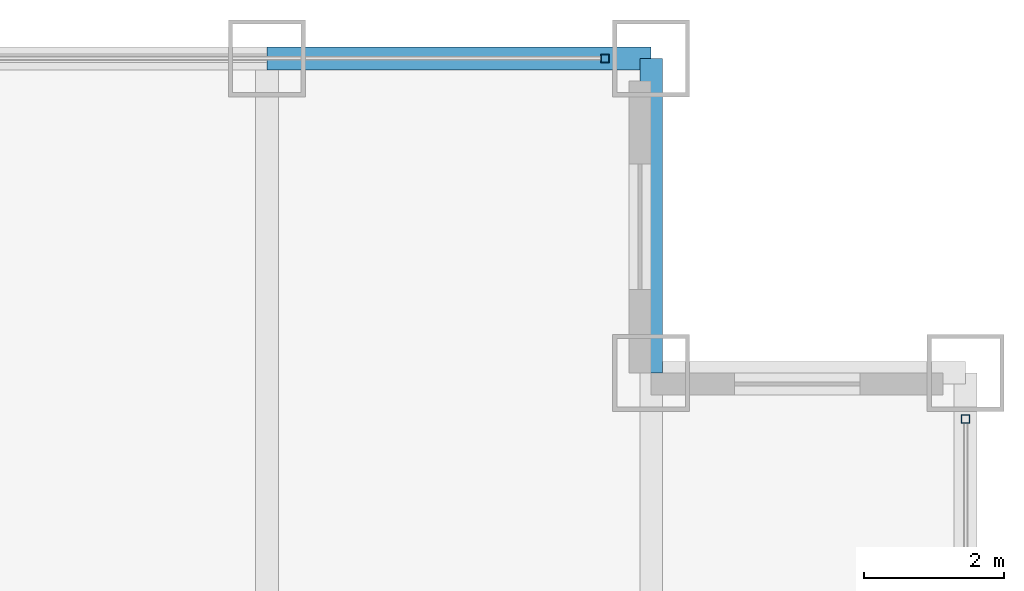
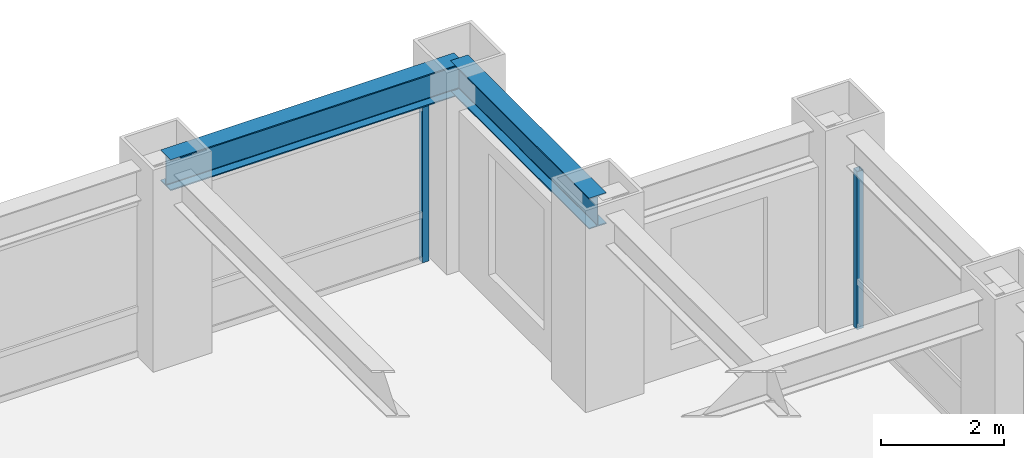
# One storey, part 18 of 24: 2 beams, 2 members, 2 elements without a shape of their own.
"""IFC4 building model written with IfcOpenShell, lengths in metres."""

from ifc_helpers import new_model, si_unit, direction, frame, origin, origin_2d, place, context, subcontext, project, spatial, hollow_rectangle, i_section, extrude, source, transform, mapped, material, material_profile, profile_set, type_object, element, aggregate, save


model = new_model("IFC4")

# Units and contexts
model_context = context("Model", 3, precision=1e-05, world=origin(), true_north=direction((0.0, 1.0)))
body_context = subcontext(model_context, "Body", "Model", "MODEL_VIEW")
ifc_project = project(units=[si_unit("LENGTHUNIT", "METRE"), si_unit("AREAUNIT", "SQUARE_METRE"), si_unit("VOLUMEUNIT", "CUBIC_METRE"), si_unit("PLANEANGLEUNIT", "RADIAN"), si_unit("MASSUNIT", "GRAM", prefix="KILO")], contexts=[model_context])

# Site, building, storey
site_placement = place(None, origin())
site = spatial("IfcSite", under=ifc_project, at=site_placement, CompositionType="ELEMENT")
building_placement = place(site_placement, origin())
building = spatial("IfcBuilding", under=site, at=building_placement, Name="Khorayat Bourse Tower", CompositionType="ELEMENT")
storey_placement = place(building_placement, frame((0.0, 0.0, 171.10009765625)))
storey = spatial("IfcBuildingStorey", under=building, at=storey_placement, Name="L39", CompositionType="ELEMENT", Elevation=171.10009765625)

# Beams
ifc_material_1 = material(Name="Steel ASTM A992 Grade 50", Category="steel")
ifc_material_profile_1 = material_profile(ifc_material_1, i_section(OverallWidth=0.324951171875, OverallDepth=0.615966796875, WebThickness=0.013916015625, FlangeThickness=0.021484375, FilletRadius=0.01611328125, at=origin_2d()), Name="W610X174")
ifc_profile_set_1 = profile_set([ifc_material_profile_1], Name="Steel ASTM A992 Grade 50")
beam_type = type_object("IfcBeamType", Name="BM-SPAN-610", PredefinedType="SPANDREL", material=ifc_profile_set_1)
shared_shape_1 = source(origin(), body_context, "Body", "SweptSolid", [
    extrude(i_section(OverallWidth=0.324951171875, OverallDepth=0.615966796875, WebThickness=0.013916015625, FlangeThickness=0.021484375, FilletRadius=0.01611328125, at=origin_2d()), origin(), (0.0, 0.0, 1.0), 5.5),
])
beam_1_placement = place(storey_placement, frame((20.0, 30.0, 3.471923828125), z_axis=(1.0, 0.0, 0.0), x_axis=(0.0, 1.0, 0.0)))
element("IfcBeam", 1, at=beam_1_placement, inside=storey, type_object=beam_type, Name="L39 BM-SPAN-610 BM-L39-SPN-044", PredefinedType="SPANDREL", context=body_context, shape_type="MappedRepresentation", body=[
    mapped(shared_shape_1, transform((0.0, 0.0, 0.0), scale=1.0)),
])
shared_shape_2 = source(origin(), body_context, "Body", "SweptSolid", [
    extrude(i_section(OverallWidth=0.324951171875, OverallDepth=0.615966796875, WebThickness=0.013916015625, FlangeThickness=0.021484375, FilletRadius=0.01611328125, at=origin_2d()), origin(), (0.0, 0.0, 1.0), 4.5),
])
beam_2_placement = place(storey_placement, frame((25.5, 25.5, 3.471923828125), z_axis=(0.0, 1.0, 0.0), x_axis=(-1.0, 0.0, 0.0)))
element("IfcBeam", 2, at=beam_2_placement, inside=storey, type_object=beam_type, Name="L39 BM-SPAN-610 BM-L39-SPN-043", PredefinedType="SPANDREL", context=body_context, shape_type="MappedRepresentation", body=[
    mapped(shared_shape_2, transform((0.0, 0.0, 0.0), scale=1.0)),
])

# Curtain wall, member
ifc_material_2 = material(Name="Aluminium EN AW-6063 T6", Category="aluminium")
curtain_wall_type = type_object("IfcCurtainWallType", Name="CW-SYS-03", PredefinedType="NOTDEFINED", material=ifc_material_2)
curtain_wall_1_placement = place(storey_placement, origin())
curtain_wall_1 = element("IfcCurtainWall", 3, at=curtain_wall_1_placement, inside=storey, type_object=curtain_wall_type, Name="L39 Curtain Wall CW-L39-N1", PredefinedType="NOTDEFINED")
ifc_material_profile_2 = material_profile(ifc_material_2, hollow_rectangle(XDim=0.1201171875, YDim=0.1201171875, WallThickness=0.0048828125, at=origin_2d()), Name="ALU 120x120x5")
ifc_profile_set_2 = profile_set([ifc_material_profile_2], Name="Aluminium EN AW-6063 T6")
member_type = type_object("IfcMemberType", Name="CWM-VERT-120", PredefinedType="MULLION", material=ifc_profile_set_2)
shared_shape_3 = source(origin(), body_context, "Body", "SweptSolid", [
    extrude(hollow_rectangle(XDim=0.1201171875, YDim=0.1201171875, WallThickness=0.0048828125, at=origin_2d()), origin(), (0.0, 0.0, 1.0), 3.1298828125),
])
member_1_placement = place(storey_placement, frame((24.840087890625, 30.0, 0.0), z_axis=(0.0, 0.0, 1.0), x_axis=(0.0, 1.0, 0.0)))
member_1 = element("IfcMember", 4, at=member_1_placement, type_object=member_type, Name="CW-L39-N1 Vertical Mullion 3", PredefinedType="MULLION", context=body_context, shape_type="MappedRepresentation", body=[
    mapped(shared_shape_3, transform((0.0, 0.0, 0.0), scale=1.0)),
])
aggregate(curtain_wall_1, [member_1])

curtain_wall_2_placement = place(storey_placement, origin())
curtain_wall_2 = element("IfcCurtainWall", 5, at=curtain_wall_2_placement, inside=storey, type_object=curtain_wall_type, Name="L39 Curtain Wall CW-L39-E1", PredefinedType="NOTDEFINED")
member_2_placement = place(storey_placement, frame((30.0, 24.840087890625, 0.0), z_axis=(0.0, 0.0, 1.0), x_axis=(-1.0, 0.0, 0.0)))
member_2 = element("IfcMember", 6, at=member_2_placement, type_object=member_type, Name="CW-L39-E1 Vertical Mullion 3", PredefinedType="MULLION", context=body_context, shape_type="MappedRepresentation", body=[
    mapped(shared_shape_3, transform((0.0, 0.0, 0.0), scale=1.0)),
])
aggregate(curtain_wall_2, [member_2])

save(model, "model.ifc")
